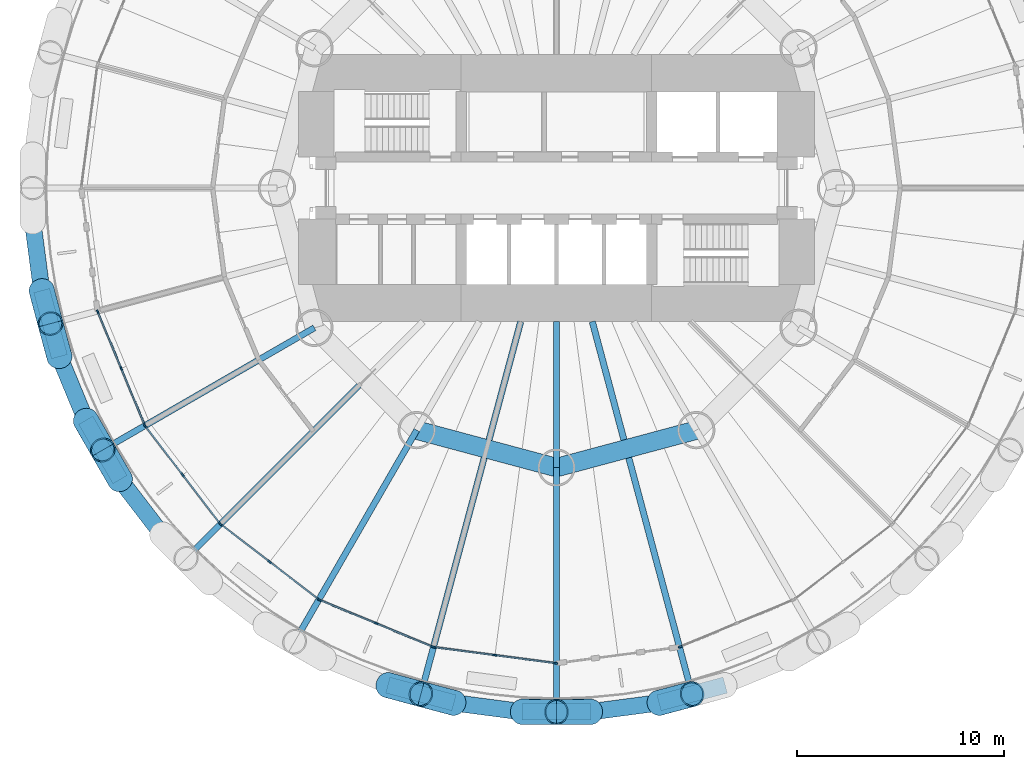
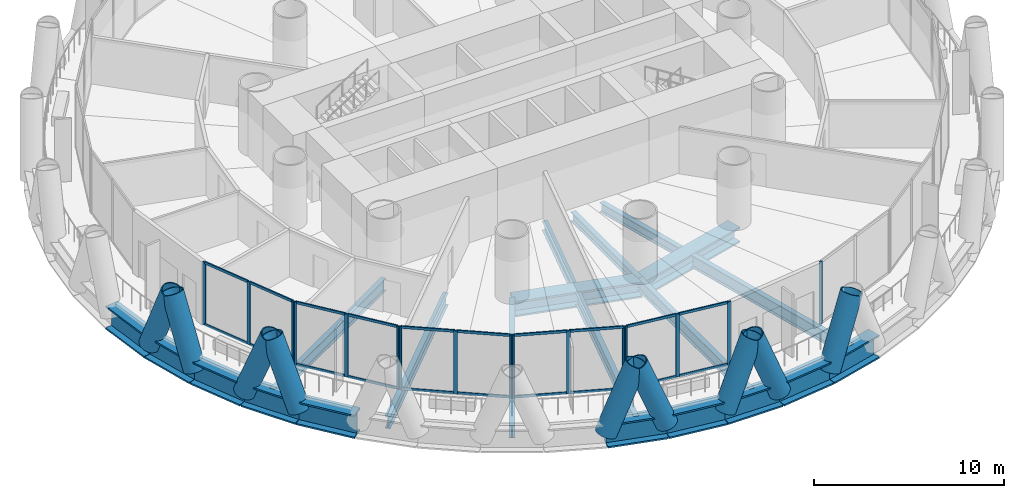
# One storey, part 2 of 16: 45 members, 21 beams, 6 elements without a shape of their own.
"""IFC4 building model written with IfcOpenShell, lengths in metres."""

from ifc_helpers import new_model, si_unit, direction, frame, origin, origin_2d, place, context, subcontext, project, spatial, rectangle, hollow_circle, i_section, extrude, material, material_profile, profile_set, type_object, element, aggregate, save


model = new_model("IFC4")

# Units and contexts
model_context = context("Model", 3, precision=1e-05, world=origin(), true_north=direction((0.0, 1.0)))
body_context = subcontext(model_context, "Body", "Model", "MODEL_VIEW")
ifc_project = project(units=[si_unit("LENGTHUNIT", "METRE"), si_unit("AREAUNIT", "SQUARE_METRE"), si_unit("VOLUMEUNIT", "CUBIC_METRE"), si_unit("PLANEANGLEUNIT", "RADIAN"), si_unit("MASSUNIT", "GRAM", prefix="KILO")], contexts=[model_context])

# Site, building, storey
site_placement = place(None, origin())
site = spatial("IfcSite", under=ifc_project, at=site_placement, CompositionType="ELEMENT")
building_placement = place(site_placement, origin())
building = spatial("IfcBuilding", under=site, at=building_placement, Name="Qaws Media Tower", CompositionType="ELEMENT")
storey_placement = place(building_placement, frame((0.0, 0.0, 105.800048828125)))
storey = spatial("IfcBuildingStorey", under=building, at=storey_placement, Name="L23", CompositionType="ELEMENT", Elevation=105.800048828125)

# Curtain wall, members
ifc_material_1 = material(Name="Aluminium and clear glass", Category="aluminium")
curtain_wall_type = type_object("IfcCurtainWallType", Name="Unitised curtain wall CW-B", PredefinedType="NOTDEFINED", material=ifc_material_1)
curtain_wall_1_placement = place(storey_placement, origin())
curtain_wall_1 = element("IfcCurtainWall", 1, at=curtain_wall_1_placement, inside=storey, type_object=curtain_wall_type, Name="CWB curtain wall L23-14", PredefinedType="NOTDEFINED")
ifc_material_2 = material(Name="Aluminium mullion", Category="aluminium")
ifc_material_profile_1 = material_profile(ifc_material_2, rectangle(XDim=0.080078125, YDim=0.199951171875, at=origin_2d()), Name="80x200")
ifc_profile_set_1 = profile_set([ifc_material_profile_1], Name="Aluminium mullion")
member_type_1 = type_object("IfcMemberType", Name="Curtain wall mullion 80x200", PredefinedType="MULLION", material=ifc_profile_set_1)
member_1_placement = place(storey_placement, frame((37.847412109375, 44.023193359375, 0.0), z_axis=(0.0, 0.0, 1.0), x_axis=(0.923879516682, 0.382683470581, 0.0)))
member_1 = element("IfcMember", 2, at=member_1_placement, type_object=member_type_1, Name="CWB mullion 1", PredefinedType="MULLION", context=body_context, shape_type="SweptSolid", body=[
    extrude(rectangle(XDim=0.080078125, YDim=0.199951171875, at=origin_2d()), origin(), (0.0, 0.0, 1.0), 4.0400390625),
])
member_2_placement = place(storey_placement, frame((38.978271484375, 41.29248046875, 0.0), z_axis=(0.0, 0.0, 1.0), x_axis=(0.923879516682, 0.382683470581, 0.0)))
member_2 = element("IfcMember", 3, at=member_2_placement, type_object=member_type_1, Name="CWB mullion 2", PredefinedType="MULLION", context=body_context, shape_type="SweptSolid", body=[
    extrude(rectangle(XDim=0.080078125, YDim=0.199951171875, at=origin_2d()), origin(), (0.0, 0.0, 1.0), 4.0400390625),
])
member_3_placement = place(storey_placement, frame((40.109375, 38.56201171875, 0.0), z_axis=(0.0, 0.0, 1.0), x_axis=(0.923879516682, 0.382683470581, 0.0)))
member_3 = element("IfcMember", 4, at=member_3_placement, type_object=member_type_1, Name="CWB mullion 3", PredefinedType="MULLION", context=body_context, shape_type="SweptSolid", body=[
    extrude(rectangle(XDim=0.080078125, YDim=0.199951171875, at=origin_2d()), origin(), (0.0, 0.0, 1.0), 4.0400390625),
])

curtain_wall_2_placement = place(storey_placement, origin())
curtain_wall_2 = element("IfcCurtainWall", 5, at=curtain_wall_2_placement, inside=storey, type_object=curtain_wall_type, Name="CWB curtain wall L23-15", PredefinedType="NOTDEFINED")
member_4_placement = place(storey_placement, frame((40.149169921875, 38.4931640625, 0.0), z_axis=(0.0, 0.0, 1.0), x_axis=(0.793353394616, 0.608761358211, 0.0)))
member_4 = element("IfcMember", 6, at=member_4_placement, type_object=member_type_1, Name="CWB mullion 1", PredefinedType="MULLION", context=body_context, shape_type="SweptSolid", body=[
    extrude(rectangle(XDim=0.080078125, YDim=0.199951171875, at=origin_2d()), origin(), (0.0, 0.0, 1.0), 4.0400390625),
])
member_5_placement = place(storey_placement, frame((41.9482421875, 36.1484375, 0.0), z_axis=(0.0, 0.0, 1.0), x_axis=(0.793353394616, 0.608761358211, 0.0)))
member_5 = element("IfcMember", 7, at=member_5_placement, type_object=member_type_1, Name="CWB mullion 2", PredefinedType="MULLION", context=body_context, shape_type="SweptSolid", body=[
    extrude(rectangle(XDim=0.080078125, YDim=0.199951171875, at=origin_2d()), origin(), (0.0, 0.0, 1.0), 4.0400390625),
])
member_6_placement = place(storey_placement, frame((43.74755859375, 33.8037109375, 0.0), z_axis=(0.0, 0.0, 1.0), x_axis=(0.793353394616, 0.608761358211, 0.0)))
member_6 = element("IfcMember", 8, at=member_6_placement, type_object=member_type_1, Name="CWB mullion 3", PredefinedType="MULLION", context=body_context, shape_type="SweptSolid", body=[
    extrude(rectangle(XDim=0.080078125, YDim=0.199951171875, at=origin_2d()), origin(), (0.0, 0.0, 1.0), 4.0400390625),
])

curtain_wall_3_placement = place(storey_placement, origin())
curtain_wall_3 = element("IfcCurtainWall", 9, at=curtain_wall_3_placement, inside=storey, type_object=curtain_wall_type, Name="CWB curtain wall L23-16", PredefinedType="NOTDEFINED")
member_7_placement = place(storey_placement, frame((43.8037109375, 33.74755859375, 0.0), z_axis=(0.0, 0.0, 1.0), x_axis=(0.608761358211, 0.793353394616, 0.0)))
member_7 = element("IfcMember", 10, at=member_7_placement, type_object=member_type_1, Name="CWB mullion 1", PredefinedType="MULLION", context=body_context, shape_type="SweptSolid", body=[
    extrude(rectangle(XDim=0.080078125, YDim=0.199951171875, at=origin_2d()), origin(), (0.0, 0.0, 1.0), 4.0400390625),
])
member_8_placement = place(storey_placement, frame((46.1484375, 31.9482421875, 0.0), z_axis=(0.0, 0.0, 1.0), x_axis=(0.608761358211, 0.793353394616, 0.0)))
member_8 = element("IfcMember", 11, at=member_8_placement, type_object=member_type_1, Name="CWB mullion 2", PredefinedType="MULLION", context=body_context, shape_type="SweptSolid", body=[
    extrude(rectangle(XDim=0.080078125, YDim=0.199951171875, at=origin_2d()), origin(), (0.0, 0.0, 1.0), 4.0400390625),
])
member_9_placement = place(storey_placement, frame((48.4931640625, 30.149169921875, 0.0), z_axis=(0.0, 0.0, 1.0), x_axis=(0.608761358211, 0.793353394616, 0.0)))
member_9 = element("IfcMember", 12, at=member_9_placement, type_object=member_type_1, Name="CWB mullion 3", PredefinedType="MULLION", context=body_context, shape_type="SweptSolid", body=[
    extrude(rectangle(XDim=0.080078125, YDim=0.199951171875, at=origin_2d()), origin(), (0.0, 0.0, 1.0), 4.0400390625),
])

curtain_wall_4_placement = place(storey_placement, origin())
curtain_wall_4 = element("IfcCurtainWall", 13, at=curtain_wall_4_placement, inside=storey, type_object=curtain_wall_type, Name="CWB curtain wall L23-17", PredefinedType="NOTDEFINED")
member_10_placement = place(storey_placement, frame((48.56201171875, 30.109375, 0.0), z_axis=(0.0, 0.0, 1.0), x_axis=(0.382683470581, 0.923879516682, 0.0)))
member_10 = element("IfcMember", 14, at=member_10_placement, type_object=member_type_1, Name="CWB mullion 1", PredefinedType="MULLION", context=body_context, shape_type="SweptSolid", body=[
    extrude(rectangle(XDim=0.080078125, YDim=0.199951171875, at=origin_2d()), origin(), (0.0, 0.0, 1.0), 4.0400390625),
])
member_11_placement = place(storey_placement, frame((51.29248046875, 28.978271484375, 0.0), z_axis=(0.0, 0.0, 1.0), x_axis=(0.382683470581, 0.923879516682, 0.0)))
member_11 = element("IfcMember", 15, at=member_11_placement, type_object=member_type_1, Name="CWB mullion 2", PredefinedType="MULLION", context=body_context, shape_type="SweptSolid", body=[
    extrude(rectangle(XDim=0.080078125, YDim=0.199951171875, at=origin_2d()), origin(), (0.0, 0.0, 1.0), 4.0400390625),
])
member_12_placement = place(storey_placement, frame((54.023193359375, 27.847412109375, 0.0), z_axis=(0.0, 0.0, 1.0), x_axis=(0.382683470581, 0.923879516682, 0.0)))
member_12 = element("IfcMember", 16, at=member_12_placement, type_object=member_type_1, Name="CWB mullion 3", PredefinedType="MULLION", context=body_context, shape_type="SweptSolid", body=[
    extrude(rectangle(XDim=0.080078125, YDim=0.199951171875, at=origin_2d()), origin(), (0.0, 0.0, 1.0), 4.0400390625),
])

curtain_wall_5_placement = place(storey_placement, origin())
curtain_wall_5 = element("IfcCurtainWall", 17, at=curtain_wall_5_placement, inside=storey, type_object=curtain_wall_type, Name="CWB curtain wall L23-18", PredefinedType="NOTDEFINED")
member_13_placement = place(storey_placement, frame((54.099853515625, 27.82666015625, 0.0), z_axis=(0.0, 0.0, 1.0), x_axis=(0.130526147022, 0.991444867324, 0.0)))
member_13 = element("IfcMember", 18, at=member_13_placement, type_object=member_type_1, Name="CWB mullion 1", PredefinedType="MULLION", context=body_context, shape_type="SweptSolid", body=[
    extrude(rectangle(XDim=0.080078125, YDim=0.199951171875, at=origin_2d()), origin(), (0.0, 0.0, 1.0), 4.0400390625),
])
member_14_placement = place(storey_placement, frame((57.030029296875, 27.44091796875, 0.0), z_axis=(0.0, 0.0, 1.0), x_axis=(0.130526147022, 0.991444867324, 0.0)))
member_14 = element("IfcMember", 19, at=member_14_placement, type_object=member_type_1, Name="CWB mullion 2", PredefinedType="MULLION", context=body_context, shape_type="SweptSolid", body=[
    extrude(rectangle(XDim=0.080078125, YDim=0.199951171875, at=origin_2d()), origin(), (0.0, 0.0, 1.0), 4.0400390625),
])
member_15_placement = place(storey_placement, frame((59.96044921875, 27.05517578125, 0.0), z_axis=(0.0, 0.0, 1.0), x_axis=(0.130526147022, 0.991444867324, 0.0)))
member_15 = element("IfcMember", 20, at=member_15_placement, type_object=member_type_1, Name="CWB mullion 3", PredefinedType="MULLION", context=body_context, shape_type="SweptSolid", body=[
    extrude(rectangle(XDim=0.080078125, YDim=0.199951171875, at=origin_2d()), origin(), (0.0, 0.0, 1.0), 4.0400390625),
])

# Curtain wall, member
curtain_wall_6_placement = place(storey_placement, origin())
curtain_wall_6 = element("IfcCurtainWall", 21, at=curtain_wall_6_placement, inside=storey, type_object=curtain_wall_type, Name="CWB curtain wall L23-20", PredefinedType="NOTDEFINED")
member_16_placement = place(storey_placement, frame((65.976806640625, 27.847412109375, 0.0), z_axis=(0.0, 0.0, 1.0), x_axis=(-0.382683470581, 0.923879516682, 0.0)))
member_16 = element("IfcMember", 22, at=member_16_placement, type_object=member_type_1, Name="CWB mullion 1", PredefinedType="MULLION", context=body_context, shape_type="SweptSolid", body=[
    extrude(rectangle(XDim=0.080078125, YDim=0.199951171875, at=origin_2d()), origin(), (0.0, 0.0, 1.0), 4.0400390625),
])
aggregate(curtain_wall_6, [member_16])

# Member
ifc_material_3 = material(Name="Aluminium transom", Category="aluminium")
ifc_material_profile_2 = material_profile(ifc_material_3, rectangle(XDim=0.080078125, YDim=0.159912109375, at=origin_2d()), Name="80x160")
ifc_profile_set_2 = profile_set([ifc_material_profile_2], Name="Aluminium transom")
member_type_2 = type_object("IfcMemberType", Name="Curtain wall transom 80x160", PredefinedType="USERDEFINED", material=ifc_profile_set_2)
member_17_placement = place(storey_placement, frame((37.862548828125, 43.986083984375, 0.0400390625), z_axis=(0.382751715461, -0.92385124577, 0.0), x_axis=(0.92385124577, 0.382751715461, 0.0)))
member_17 = element("IfcMember", 23, at=member_17_placement, type_object=member_type_2, Name="CWB transom 1.1", ObjectType="TRANSOM", PredefinedType="USERDEFINED", context=body_context, shape_type="SweptSolid", body=[
    extrude(rectangle(XDim=0.080078125, YDim=0.159912109375, at=origin_2d()), origin(), (0.0, 0.0, 1.0), 2.87548828125),
])

member_18_placement = place(storey_placement, frame((37.862548828125, 43.986083984375, 4.0), z_axis=(0.382751715461, -0.92385124577, 0.0), x_axis=(0.92385124577, 0.382751715461, 0.0)))
member_18 = element("IfcMember", 24, at=member_18_placement, type_object=member_type_2, Name="CWB transom 1.2", ObjectType="TRANSOM", PredefinedType="USERDEFINED", context=body_context, shape_type="SweptSolid", body=[
    extrude(rectangle(XDim=0.080078125, YDim=0.159912109375, at=origin_2d()), origin(), (0.0, 0.0, 1.0), 2.87548828125),
])

member_19_placement = place(storey_placement, frame((38.99365234375, 41.255615234375, 0.0400390625), z_axis=(0.382649228421, -0.923893699507, 0.0), x_axis=(0.923893699507, 0.382649228421, 0.0)))
member_19 = element("IfcMember", 25, at=member_19_placement, type_object=member_type_2, Name="CWB transom 2.1", ObjectType="TRANSOM", PredefinedType="USERDEFINED", context=body_context, shape_type="SweptSolid", body=[
    extrude(rectangle(XDim=0.080078125, YDim=0.159912109375, at=origin_2d()), origin(), (0.0, 0.0, 1.0), 2.87548828125),
])

member_20_placement = place(storey_placement, frame((38.99365234375, 41.255615234375, 4.0), z_axis=(0.382649228421, -0.923893699507, 0.0), x_axis=(0.923893699507, 0.382649228421, 0.0)))
member_20 = element("IfcMember", 26, at=member_20_placement, type_object=member_type_2, Name="CWB transom 2.2", ObjectType="TRANSOM", PredefinedType="USERDEFINED", context=body_context, shape_type="SweptSolid", body=[
    extrude(rectangle(XDim=0.080078125, YDim=0.159912109375, at=origin_2d()), origin(), (0.0, 0.0, 1.0), 2.87548828125),
])

aggregate(curtain_wall_1, [member_1, member_2, member_3, member_17, member_18, member_19, member_20])

member_21_placement = place(storey_placement, frame((40.17333984375, 38.46142578125, 0.0400390625), z_axis=(0.608820027723, -0.793308372478, 0.0), x_axis=(0.793308372478, 0.608820027723, 0.0)))
member_21 = element("IfcMember", 27, at=member_21_placement, type_object=member_type_2, Name="CWB transom 1.1", ObjectType="TRANSOM", PredefinedType="USERDEFINED", context=body_context, shape_type="SweptSolid", body=[
    extrude(rectangle(XDim=0.080078125, YDim=0.159912109375, at=origin_2d()), origin(), (0.0, 0.0, 1.0), 2.875732421875),
])

member_22_placement = place(storey_placement, frame((40.17333984375, 38.46142578125, 4.0), z_axis=(0.608820027723, -0.793308372478, 0.0), x_axis=(0.793308372478, 0.608820027723, 0.0)))
member_22 = element("IfcMember", 28, at=member_22_placement, type_object=member_type_2, Name="CWB transom 1.2", ObjectType="TRANSOM", PredefinedType="USERDEFINED", context=body_context, shape_type="SweptSolid", body=[
    extrude(rectangle(XDim=0.080078125, YDim=0.159912109375, at=origin_2d()), origin(), (0.0, 0.0, 1.0), 2.875732421875),
])

member_23_placement = place(storey_placement, frame((41.97265625, 36.11669921875, 0.0400390625), z_axis=(0.608766592582, -0.793349378115, 0.0), x_axis=(0.793349378115, 0.608766592582, 0.0)))
member_23 = element("IfcMember", 29, at=member_23_placement, type_object=member_type_2, Name="CWB transom 2.1", ObjectType="TRANSOM", PredefinedType="USERDEFINED", context=body_context, shape_type="SweptSolid", body=[
    extrude(rectangle(XDim=0.080078125, YDim=0.159912109375, at=origin_2d()), origin(), (0.0, 0.0, 1.0), 2.87548828125),
])

member_24_placement = place(storey_placement, frame((41.97265625, 36.11669921875, 4.0), z_axis=(0.608766592582, -0.793349378115, 0.0), x_axis=(0.793349378115, 0.608766592582, 0.0)))
member_24 = element("IfcMember", 30, at=member_24_placement, type_object=member_type_2, Name="CWB transom 2.2", ObjectType="TRANSOM", PredefinedType="USERDEFINED", context=body_context, shape_type="SweptSolid", body=[
    extrude(rectangle(XDim=0.080078125, YDim=0.159912109375, at=origin_2d()), origin(), (0.0, 0.0, 1.0), 2.87548828125),
])

aggregate(curtain_wall_2, [member_4, member_5, member_6, member_21, member_22, member_23, member_24])

member_25_placement = place(storey_placement, frame((43.83544921875, 33.72314453125, 0.0400390625), z_axis=(0.793349378115, -0.608766592582, 0.0), x_axis=(0.608766592582, 0.793349378115, 0.0)))
member_25 = element("IfcMember", 31, at=member_25_placement, type_object=member_type_2, Name="CWB transom 1.1", ObjectType="TRANSOM", PredefinedType="USERDEFINED", context=body_context, shape_type="SweptSolid", body=[
    extrude(rectangle(XDim=0.080078125, YDim=0.159912109375, at=origin_2d()), origin(), (0.0, 0.0, 1.0), 2.87548828125),
])

member_26_placement = place(storey_placement, frame((43.83544921875, 33.72314453125, 4.0), z_axis=(0.793349378115, -0.608766592582, 0.0), x_axis=(0.608766592582, 0.793349378115, 0.0)))
member_26 = element("IfcMember", 32, at=member_26_placement, type_object=member_type_2, Name="CWB transom 1.2", ObjectType="TRANSOM", PredefinedType="USERDEFINED", context=body_context, shape_type="SweptSolid", body=[
    extrude(rectangle(XDim=0.080078125, YDim=0.159912109375, at=origin_2d()), origin(), (0.0, 0.0, 1.0), 2.87548828125),
])

member_27_placement = place(storey_placement, frame((46.18017578125, 31.924072265625, 0.0400390625), z_axis=(0.793308372478, -0.608820027723, 0.0), x_axis=(0.608820027723, 0.793308372478, 0.0)))
member_27 = element("IfcMember", 33, at=member_27_placement, type_object=member_type_2, Name="CWB transom 2.1", ObjectType="TRANSOM", PredefinedType="USERDEFINED", context=body_context, shape_type="SweptSolid", body=[
    extrude(rectangle(XDim=0.080078125, YDim=0.159912109375, at=origin_2d()), origin(), (0.0, 0.0, 1.0), 2.875732421875),
])

member_28_placement = place(storey_placement, frame((46.18017578125, 31.924072265625, 4.0), z_axis=(0.793308372478, -0.608820027723, 0.0), x_axis=(0.608820027723, 0.793308372478, 0.0)))
member_28 = element("IfcMember", 34, at=member_28_placement, type_object=member_type_2, Name="CWB transom 2.2", ObjectType="TRANSOM", PredefinedType="USERDEFINED", context=body_context, shape_type="SweptSolid", body=[
    extrude(rectangle(XDim=0.080078125, YDim=0.159912109375, at=origin_2d()), origin(), (0.0, 0.0, 1.0), 2.875732421875),
])

aggregate(curtain_wall_3, [member_7, member_8, member_9, member_25, member_26, member_27, member_28])

member_29_placement = place(storey_placement, frame((48.598876953125, 30.093994140625, 0.0400390625), z_axis=(0.923893699507, -0.382649228421, 0.0), x_axis=(0.382649228421, 0.923893699507, 0.0)))
member_29 = element("IfcMember", 35, at=member_29_placement, type_object=member_type_2, Name="CWB transom 1.1", ObjectType="TRANSOM", PredefinedType="USERDEFINED", context=body_context, shape_type="SweptSolid", body=[
    extrude(rectangle(XDim=0.080078125, YDim=0.159912109375, at=origin_2d()), origin(), (0.0, 0.0, 1.0), 2.87548828125),
])

member_30_placement = place(storey_placement, frame((48.598876953125, 30.093994140625, 4.0), z_axis=(0.923893699507, -0.382649228421, 0.0), x_axis=(0.382649228421, 0.923893699507, 0.0)))
member_30 = element("IfcMember", 36, at=member_30_placement, type_object=member_type_2, Name="CWB transom 1.2", ObjectType="TRANSOM", PredefinedType="USERDEFINED", context=body_context, shape_type="SweptSolid", body=[
    extrude(rectangle(XDim=0.080078125, YDim=0.159912109375, at=origin_2d()), origin(), (0.0, 0.0, 1.0), 2.87548828125),
])

member_31_placement = place(storey_placement, frame((51.32958984375, 28.963134765625, 0.0400390625), z_axis=(0.92385124577, -0.382751715461, 0.0), x_axis=(0.382751715461, 0.92385124577, 0.0)))
member_31 = element("IfcMember", 37, at=member_31_placement, type_object=member_type_2, Name="CWB transom 2.1", ObjectType="TRANSOM", PredefinedType="USERDEFINED", context=body_context, shape_type="SweptSolid", body=[
    extrude(rectangle(XDim=0.080078125, YDim=0.159912109375, at=origin_2d()), origin(), (0.0, 0.0, 1.0), 2.87548828125),
])

member_32_placement = place(storey_placement, frame((51.32958984375, 28.963134765625, 4.0), z_axis=(0.92385124577, -0.382751715461, 0.0), x_axis=(0.382751715461, 0.92385124577, 0.0)))
member_32 = element("IfcMember", 38, at=member_32_placement, type_object=member_type_2, Name="CWB transom 2.2", ObjectType="TRANSOM", PredefinedType="USERDEFINED", context=body_context, shape_type="SweptSolid", body=[
    extrude(rectangle(XDim=0.080078125, YDim=0.159912109375, at=origin_2d()), origin(), (0.0, 0.0, 1.0), 2.87548828125),
])

aggregate(curtain_wall_4, [member_10, member_11, member_12, member_29, member_30, member_31, member_32])

member_33_placement = place(storey_placement, frame((54.139404296875, 27.821533203125, 0.0400390625), z_axis=(0.991449671425, -0.130489651052, 0.0), x_axis=(0.130489651052, 0.991449671425, 0.0)))
member_33 = element("IfcMember", 39, at=member_33_placement, type_object=member_type_2, Name="CWB transom 1.1", ObjectType="TRANSOM", PredefinedType="USERDEFINED", context=body_context, shape_type="SweptSolid", body=[
    extrude(rectangle(XDim=0.080078125, YDim=0.159912109375, at=origin_2d()), origin(), (0.0, 0.0, 1.0), 2.875732421875),
])

member_34_placement = place(storey_placement, frame((54.139404296875, 27.821533203125, 4.0), z_axis=(0.991449671425, -0.130489651052, 0.0), x_axis=(0.130489651052, 0.991449671425, 0.0)))
member_34 = element("IfcMember", 40, at=member_34_placement, type_object=member_type_2, Name="CWB transom 1.2", ObjectType="TRANSOM", PredefinedType="USERDEFINED", context=body_context, shape_type="SweptSolid", body=[
    extrude(rectangle(XDim=0.080078125, YDim=0.159912109375, at=origin_2d()), origin(), (0.0, 0.0, 1.0), 2.875732421875),
])

member_35_placement = place(storey_placement, frame((57.06982421875, 27.435791015625, 0.0400390625), z_axis=(0.991448225622, -0.130500635675, 0.0), x_axis=(0.130500635675, 0.991448225622, 0.0)))
member_35 = element("IfcMember", 41, at=member_35_placement, type_object=member_type_2, Name="CWB transom 2.1", ObjectType="TRANSOM", PredefinedType="USERDEFINED", context=body_context, shape_type="SweptSolid", body=[
    extrude(rectangle(XDim=0.080078125, YDim=0.159912109375, at=origin_2d()), origin(), (0.0, 0.0, 1.0), 2.87548828125),
])

member_36_placement = place(storey_placement, frame((57.06982421875, 27.435791015625, 4.0), z_axis=(0.991448225622, -0.130500635675, 0.0), x_axis=(0.130500635675, 0.991448225622, 0.0)))
member_36 = element("IfcMember", 42, at=member_36_placement, type_object=member_type_2, Name="CWB transom 2.2", ObjectType="TRANSOM", PredefinedType="USERDEFINED", context=body_context, shape_type="SweptSolid", body=[
    extrude(rectangle(XDim=0.080078125, YDim=0.159912109375, at=origin_2d()), origin(), (0.0, 0.0, 1.0), 2.87548828125),
])

aggregate(curtain_wall_5, [member_13, member_14, member_15, member_33, member_34, member_35, member_36])

# Members
ifc_material_4 = material(Name="Steel S460", Category="steel")
ifc_material_profile_3 = material_profile(ifc_material_4, hollow_circle(Radius=0.609619140625, WallThickness=0.06005859375, at=origin_2d()), Name="CHS 1219x60")
ifc_profile_set_3 = profile_set([ifc_material_profile_3], Name="Steel S460")
member_type_3 = type_object("IfcMemberType", Name="Diagrid member CHS 1219x60", PredefinedType="USERDEFINED", material=ifc_profile_set_3)
for number, where, z_axis, x_axis, name in (
    (43, (35.13720703125, 45.054443359375, -0.91015625), (0.094075866241, -0.354893095406, 0.93016161081), (0.966615169187, 0.256232540278, 0.0), "DG1 diagrid L23 A13"),
    (44, (37.26416015625, 38.7880859375, -0.91015625), (0.18279658458, -0.318447761957, 0.930148607251), (0.867271933827, 0.49783470429, 0.0), "DG1 diagrid L23 A14"),
    (45, (35.995361328125, 41.8515625, -0.91015625), (-0.095967502009, 0.354403929954, 0.930154875809), (-0.965237982037, -0.261372603831, 0.0), "DG1 diagrid L23 B14"),
    (46, (38.92236328125, 35.916259765625, -0.91015625), (-0.184417538326, 0.317526884372, 0.930143456279), (-0.864733254102, -0.502231420014, 0.0), "DG1 diagrid L23 B15"),
    (47, (51.8515625, 25.995361328125, -0.91015625), (0.354403929954, -0.095967502009, 0.930154875809), (0.261372603831, 0.965237982037, 0.0), "DG1 diagrid L23 A17"),
    (48, (58.342041015625, 24.704345703125, -0.91015625), (0.367163898888, -0.000973192487, 0.930155752683), (0.002650557616, 0.999996487266, 0.0), "DG1 diagrid L23 A18"),
    (49, (55.054443359375, 25.13720703125, -0.91015625), (-0.354893095406, 0.094075866241, 0.93016161081), (-0.256232540278, -0.966615169187, 0.0), "DG1 diagrid L23 B18"),
    (50, (64.945556640625, 25.13720703125, -0.91015625), (0.354893095406, 0.094075866241, 0.93016161081), (-0.256232540278, 0.966615169187, 0.0), "DG1 diagrid L23 A19"),
    (51, (61.657958984375, 24.704345703125, -0.91015625), (-0.367163898888, -0.000973192487, 0.930155752683), (0.002650557616, -0.999996487266, 0.0), "DG1 diagrid L23 B19"),
):
    element("IfcMember", number, at=place(storey_placement, frame(where, z_axis=z_axis, x_axis=x_axis)), inside=storey, type_object=member_type_3, Name=name, ObjectType="DIAGRID", PredefinedType="USERDEFINED", context=body_context, shape_type="SweptSolid", body=[
        extrude(hollow_circle(Radius=0.609619140625, WallThickness=0.06005859375, at=origin_2d()), origin(), (0.0, 0.0, 1.0), 4.515625),
    ])

# Beams
ifc_material_5 = material(Name="Steel S460", Category="steel")
ifc_material_profile_4 = material_profile(ifc_material_5, i_section(OverallWidth=0.800048828125, OverallDepth=1.5, WebThickness=0.0400390625, FlangeThickness=0.10009765625, at=origin_2d()), Name="PG 1500x800")
ifc_profile_set_4 = profile_set([ifc_material_profile_4], Name="Steel S460")
beam_type_1 = type_object("IfcBeamType", Name="Edge ring beam PG 1500x800", PredefinedType="BEAM", material=ifc_profile_set_4)
for number, where, z_axis, x_axis, name in (
    (52, (34.704345703125, 48.342041015625, -0.91015625), (0.130538312051, -0.991443265692, 0.0), (0.991443265692, 0.130538312051, 0.0), "RB7 edge ring beam L23-25"),
    (53, (35.13720703125, 45.054443359375, -0.91015625), (0.258803557142, -0.965929976143, 0.0), (0.965929976143, 0.258803557142, 0.0), "RB7 edge ring beam L23-26"),
    (54, (35.995361328125, 41.8515625, -0.91015625), (0.382648754837, -0.923893895651, 0.0), (0.923893895651, 0.382648754837, 0.0), "RB7 edge ring beam L23-27"),
):
    element("IfcBeam", number, at=place(storey_placement, frame(where, z_axis=z_axis, x_axis=x_axis)), inside=storey, type_object=beam_type_1, Name=name, PredefinedType="BEAM", context=body_context, shape_type="SweptSolid", body=[
        extrude(i_section(OverallWidth=0.800048828125, OverallDepth=1.5, WebThickness=0.0400390625, FlangeThickness=0.10009765625, at=origin_2d()), origin(), (0.0, 0.0, 1.0), 3.31591796875),
    ])
beam_1_placement = place(storey_placement, frame((37.26416015625, 38.7880859375, -0.91015625), z_axis=(0.500034718414, -0.866005358171, 0.0), x_axis=(0.866005358171, 0.500034718414, 0.0)))
element("IfcBeam", 55, at=beam_1_placement, inside=storey, type_object=beam_type_1, Name="RB7 edge ring beam L23-28", PredefinedType="BEAM", context=body_context, shape_type="SweptSolid", body=[
    extrude(i_section(OverallWidth=0.800048828125, OverallDepth=1.5, WebThickness=0.0400390625, FlangeThickness=0.10009765625, at=origin_2d()), origin(), (0.0, 0.0, 1.0), 3.316162109375),
])
for number, where, z_axis, x_axis, name in (
    (56, (38.92236328125, 35.916259765625, -0.91015625), (0.608763825135, -0.793351501673, 0.0), (0.793351501673, 0.608763825135, 0.0), "RB7 edge ring beam L23-29"),
    (57, (51.8515625, 25.995361328125, -0.91015625), (0.965929976143, -0.258803557142, 0.0), (0.258803557142, 0.965929976143, 0.0), "RB7 edge ring beam L23-34"),
    (58, (55.054443359375, 25.13720703125, -0.91015625), (0.991443265692, -0.130538312051, 0.0), (0.130538312051, 0.991443265692, 0.0), "RB7 edge ring beam L23-35"),
    (59, (58.342041015625, 24.704345703125, -0.91015625), (1.0, 0.0, 0.0), (0.0, 1.0, 0.0), "RB7 edge ring beam L23-36"),
    (60, (61.657958984375, 24.704345703125, -0.91015625), (0.991443265692, 0.130538312051, 0.0), (-0.130538312051, 0.991443265692, 0.0), "RB7 edge ring beam L23-37"),
    (61, (64.945556640625, 25.13720703125, -0.91015625), (0.965929976143, 0.258803557142, 0.0), (-0.258803557142, 0.965929976143, 0.0), "RB7 edge ring beam L23-38"),
):
    element("IfcBeam", number, at=place(storey_placement, frame(where, z_axis=z_axis, x_axis=x_axis)), inside=storey, type_object=beam_type_1, Name=name, PredefinedType="BEAM", context=body_context, shape_type="SweptSolid", body=[
        extrude(i_section(OverallWidth=0.800048828125, OverallDepth=1.5, WebThickness=0.0400390625, FlangeThickness=0.10009765625, at=origin_2d()), origin(), (0.0, 0.0, 1.0), 3.31591796875),
    ])
ifc_material_6 = material(Name="Steel S460", Category="steel")
ifc_material_profile_5 = material_profile(ifc_material_6, i_section(OverallWidth=0.89990234375, OverallDepth=1.0, WebThickness=0.044921875, FlangeThickness=0.110107421875, at=origin_2d()), Name="PG 1000x900")
ifc_profile_set_5 = profile_set([ifc_material_profile_5], Name="Steel S460")
beam_type_2 = type_object("IfcBeamType", Name="Inner ring girder PG 1000x900", PredefinedType="BEAM", material=ifc_profile_set_5)
for number, where, z_axis, x_axis, name in (
    (62, (53.25, 38.30859375, -0.66015625), (0.965928090778, -0.258810593767, 0.0), (0.258810593767, 0.965928090778, 0.0), "B3 inner ring beam L23 I09-I10"),
    (63, (60.0, 36.5, -0.66015625), (0.965928090778, 0.258810593767, 0.0), (-0.258810593767, 0.965928090778, 0.0), "B3 inner ring beam L23 I10-I11"),
):
    element("IfcBeam", number, at=place(storey_placement, frame(where, z_axis=z_axis, x_axis=x_axis)), inside=storey, type_object=beam_type_2, Name=name, PredefinedType="BEAM", context=body_context, shape_type="SweptSolid", body=[
        extrude(i_section(OverallWidth=0.89990234375, OverallDepth=1.0, WebThickness=0.044921875, FlangeThickness=0.110107421875, at=origin_2d()), origin(), (0.0, 0.0, 1.0), 6.988037109375),
    ])
ifc_material_7 = material(Name="Steel S355", Category="steel")
ifc_material_profile_6 = material_profile(ifc_material_7, i_section(OverallWidth=0.304931640625, OverallDepth=0.6201171875, WebThickness=0.02099609375, FlangeThickness=0.0400390625, FilletRadius=0.027099609375, at=origin_2d()), Name="HE 600 M")
ifc_profile_set_6 = profile_set([ifc_material_profile_6], Name="Steel S355")
beam_type_3 = type_object("IfcBeamType", Name="Radial beam HE 600 M, core side", PredefinedType="BEAM", material=ifc_profile_set_6)
beam_2_placement = place(storey_placement, frame((58.271728515625, 43.550048828125, -0.469970703125), z_axis=(-0.258824149545, -0.965924458543, 0.0), x_axis=(0.965924458543, -0.258824149545, 0.0)))
element("IfcBeam", 64, at=beam_2_placement, inside=storey, type_object=beam_type_3, Name="B2 radial beam L23 18", PredefinedType="BEAM", context=body_context, shape_type="SweptSolid", body=[
    extrude(i_section(OverallWidth=0.304931640625, OverallDepth=0.6201171875, WebThickness=0.02099609375, FlangeThickness=0.0400390625, FilletRadius=0.027099609375, at=origin_2d()), origin(), (0.0, 0.0, 1.0), 5.912353515625),
])
beam_3_placement = place(storey_placement, frame((60.0, 43.550048828125, -0.469970703125), z_axis=(0.0, -1.0, 0.0), x_axis=(1.0, 0.0, 0.0)))
element("IfcBeam", 65, at=beam_3_placement, inside=storey, type_object=beam_type_3, Name="B2 radial beam L23 19", PredefinedType="BEAM", context=body_context, shape_type="SweptSolid", body=[
    extrude(i_section(OverallWidth=0.304931640625, OverallDepth=0.6201171875, WebThickness=0.02099609375, FlangeThickness=0.0400390625, FilletRadius=0.027099609375, at=origin_2d()), origin(), (0.0, 0.0, 1.0), 7.050048828125),
])
beam_4_placement = place(storey_placement, frame((61.728271484375, 43.550048828125, -0.469970703125), z_axis=(0.258824149545, -0.965924458543, 0.0), x_axis=(0.965924458543, 0.258824149545, 0.0)))
element("IfcBeam", 66, at=beam_4_placement, inside=storey, type_object=beam_type_3, Name="B2 radial beam L23 20", PredefinedType="BEAM", context=body_context, shape_type="SweptSolid", body=[
    extrude(i_section(OverallWidth=0.304931640625, OverallDepth=0.6201171875, WebThickness=0.02099609375, FlangeThickness=0.0400390625, FilletRadius=0.027099609375, at=origin_2d()), origin(), (0.0, 0.0, 1.0), 5.912353515625),
])
ifc_material_8 = material(Name="Steel S355", Category="steel")
ifc_material_profile_7 = material_profile(ifc_material_8, i_section(OverallWidth=0.300048828125, OverallDepth=0.800048828125, WebThickness=0.017578125, FlangeThickness=0.032958984375, FilletRadius=0.030029296875, at=origin_2d()), Name="HE 800 B")
ifc_profile_set_7 = profile_set([ifc_material_profile_7], Name="Steel S355")
beam_type_4 = type_object("IfcBeamType", Name="Radial beam HE 800 B", PredefinedType="BEAM", material=ifc_profile_set_7)
beam_5_placement = place(storey_placement, frame((48.30859375, 43.25, -0.56005859375), z_axis=(-0.866020832678, -0.500007917304, 0.0), x_axis=(0.500007917304, -0.866020832678, 0.0)))
element("IfcBeam", 67, at=beam_5_placement, inside=storey, type_object=beam_type_4, Name="B1 radial beam L23 15", PredefinedType="BEAM", context=body_context, shape_type="SweptSolid", body=[
    extrude(i_section(OverallWidth=0.300048828125, OverallDepth=0.800048828125, WebThickness=0.017578125, FlangeThickness=0.032958984375, FilletRadius=0.030029296875, at=origin_2d()), origin(), (0.0, 0.0, 1.0), 11.795654296875),
])
beam_6_placement = place(storey_placement, frame((50.461181640625, 40.461181640625, -0.56005859375), z_axis=(-0.707106781187, -0.707106781187, 0.0), x_axis=(0.707106781187, -0.707106781187, 0.0)))
element("IfcBeam", 68, at=beam_6_placement, inside=storey, type_object=beam_type_4, Name="B1 radial beam L23 16", PredefinedType="BEAM", context=body_context, shape_type="SweptSolid", body=[
    extrude(i_section(OverallWidth=0.300048828125, OverallDepth=0.800048828125, WebThickness=0.017578125, FlangeThickness=0.032958984375, FilletRadius=0.030029296875, at=origin_2d()), origin(), (0.0, 0.0, 1.0), 11.8056640625),
])
beam_7_placement = place(storey_placement, frame((53.25, 38.30859375, -0.56005859375), z_axis=(-0.500007917304, -0.866020832678, 0.0), x_axis=(0.866020832678, -0.500007917304, 0.0)))
element("IfcBeam", 69, at=beam_7_placement, inside=storey, type_object=beam_type_4, Name="B1 radial beam L23 17", PredefinedType="BEAM", context=body_context, shape_type="SweptSolid", body=[
    extrude(i_section(OverallWidth=0.300048828125, OverallDepth=0.800048828125, WebThickness=0.017578125, FlangeThickness=0.032958984375, FilletRadius=0.030029296875, at=origin_2d()), origin(), (0.0, 0.0, 1.0), 11.795654296875),
])
beam_8_placement = place(storey_placement, frame((56.508544921875, 36.9697265625, -0.56005859375), z_axis=(-0.258826013647, -0.965923959046, 0.0), x_axis=(0.965923959046, -0.258826013647, 0.0)))
element("IfcBeam", 70, at=beam_8_placement, inside=storey, type_object=beam_type_4, Name="B1 radial beam L23 18", PredefinedType="BEAM", context=body_context, shape_type="SweptSolid", body=[
    extrude(i_section(OverallWidth=0.300048828125, OverallDepth=0.800048828125, WebThickness=0.017578125, FlangeThickness=0.032958984375, FilletRadius=0.030029296875, at=origin_2d()), origin(), (0.0, 0.0, 1.0), 11.805908203125),
])
beam_9_placement = place(storey_placement, frame((60.0, 36.5, -0.56005859375), z_axis=(0.0, -1.0, 0.0), x_axis=(1.0, 0.0, 0.0)))
element("IfcBeam", 71, at=beam_9_placement, inside=storey, type_object=beam_type_4, Name="B1 radial beam L23 19", PredefinedType="BEAM", context=body_context, shape_type="SweptSolid", body=[
    extrude(i_section(OverallWidth=0.300048828125, OverallDepth=0.800048828125, WebThickness=0.017578125, FlangeThickness=0.032958984375, FilletRadius=0.030029296875, at=origin_2d()), origin(), (0.0, 0.0, 1.0), 11.795654296875),
])
beam_10_placement = place(storey_placement, frame((63.491455078125, 36.9697265625, -0.56005859375), z_axis=(0.258826013647, -0.965923959046, 0.0), x_axis=(0.965923959046, 0.258826013647, 0.0)))
element("IfcBeam", 72, at=beam_10_placement, inside=storey, type_object=beam_type_4, Name="B1 radial beam L23 20", PredefinedType="BEAM", context=body_context, shape_type="SweptSolid", body=[
    extrude(i_section(OverallWidth=0.300048828125, OverallDepth=0.800048828125, WebThickness=0.017578125, FlangeThickness=0.032958984375, FilletRadius=0.030029296875, at=origin_2d()), origin(), (0.0, 0.0, 1.0), 11.805908203125),
])

save(model, "model.ifc")
